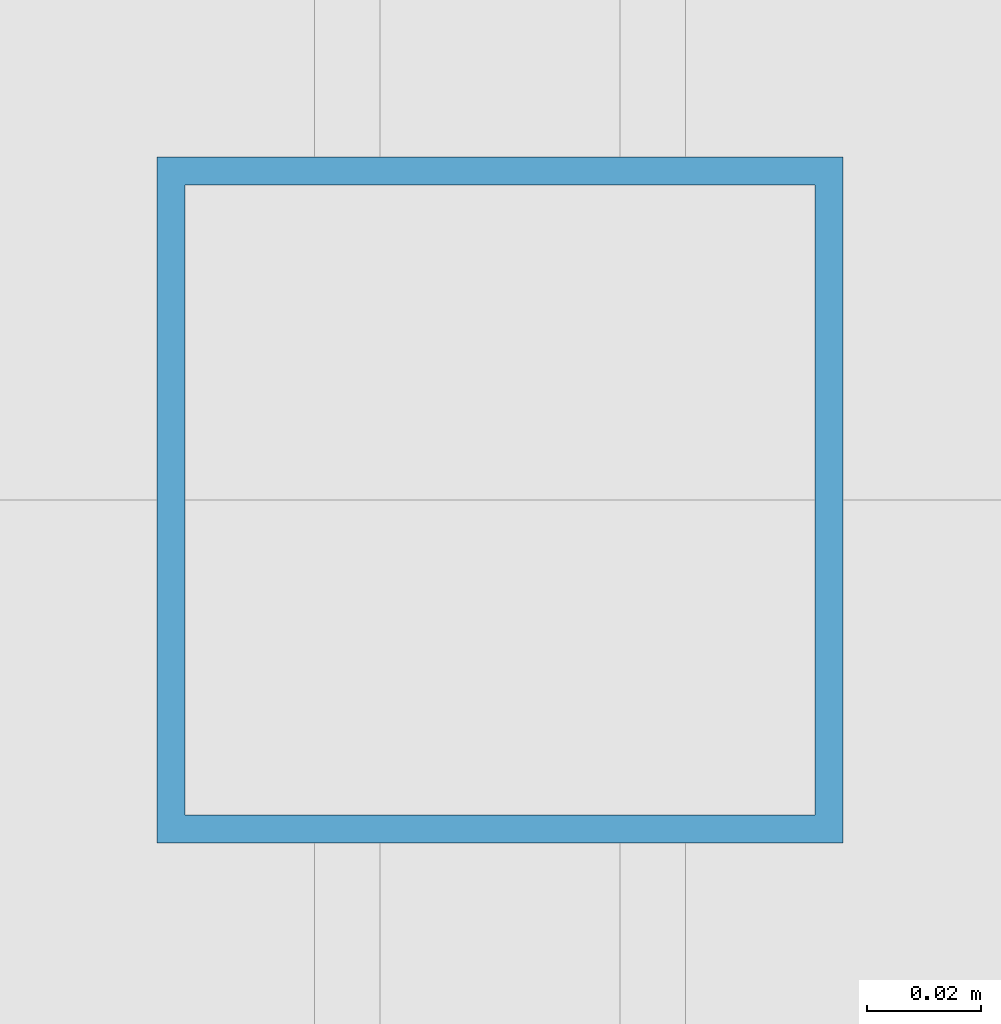
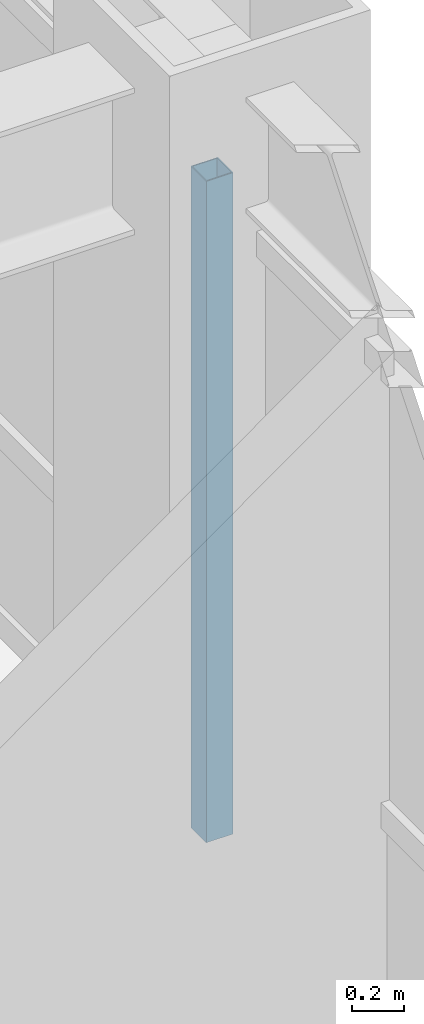
# One storey, part 13 of 32: 1 member, 1 element without a shape of its own.
"""IFC4 building model written with IfcOpenShell, lengths in metres."""

from ifc_helpers import new_model, si_unit, direction, frame, origin, origin_2d, place, context, subcontext, project, spatial, hollow_rectangle, extrude, source, transform, mapped, material, material_profile, profile_set, type_object, element, aggregate, save


model = new_model("IFC4")

# Units and contexts
model_context = context("Model", 3, precision=1e-05, world=origin(), true_north=direction((0.0, 1.0)))
body_context = subcontext(model_context, "Body", "Model", "MODEL_VIEW")
ifc_project = project(units=[si_unit("LENGTHUNIT", "METRE"), si_unit("AREAUNIT", "SQUARE_METRE"), si_unit("VOLUMEUNIT", "CUBIC_METRE"), si_unit("PLANEANGLEUNIT", "RADIAN"), si_unit("MASSUNIT", "GRAM", prefix="KILO")], contexts=[model_context])

# Site, building, storey
site_placement = place(None, origin())
site = spatial("IfcSite", under=ifc_project, at=site_placement, CompositionType="ELEMENT")
building_placement = place(site_placement, origin())
building = spatial("IfcBuilding", under=site, at=building_placement, Name="Khorayat Bourse Tower", CompositionType="ELEMENT")
storey_placement = place(building_placement, frame((0.0, 0.0, 273.5)))
storey = spatial("IfcBuildingStorey", under=building, at=storey_placement, Name="L64", CompositionType="ELEMENT", Elevation=273.5)

# Curtain wall, member
ifc_material = material(Name="Aluminium EN AW-6063 T6", Category="aluminium")
curtain_wall_type = type_object("IfcCurtainWallType", Name="CW-SYS-04", PredefinedType="NOTDEFINED", material=ifc_material)
curtain_wall_placement = place(storey_placement, origin())
curtain_wall = element("IfcCurtainWall", 1, at=curtain_wall_placement, inside=storey, type_object=curtain_wall_type, Name="L64 Curtain Wall CW-L64-E1", PredefinedType="NOTDEFINED")
ifc_material_profile = material_profile(ifc_material, hollow_rectangle(XDim=0.1201171875, YDim=0.1201171875, WallThickness=0.0048828125, at=origin_2d()), Name="ALU 120x120x5")
ifc_profile_set = profile_set([ifc_material_profile], Name="Aluminium EN AW-6063 T6")
member_type = type_object("IfcMemberType", Name="CWM-VERT-120", PredefinedType="MULLION", material=ifc_profile_set)
shared_shape = source(origin(), body_context, "Body", "SweptSolid", [
    extrude(hollow_rectangle(XDim=0.1201171875, YDim=0.1201171875, WallThickness=0.0048828125, at=origin_2d()), origin(), (0.0, 0.0, 1.0), 3.1298828125),
])
member_placement = place(storey_placement, frame((28.0, 0.0, 0.0), z_axis=(0.0, 0.0, 1.0), x_axis=(-1.0, 0.0, 0.0)))
member = element("IfcMember", 2, at=member_placement, type_object=member_type, Name="CW-L64-E1 Vertical Mullion 2", PredefinedType="MULLION", context=body_context, shape_type="MappedRepresentation", body=[
    mapped(shared_shape, transform((0.0, 0.0, 0.0), scale=1.0)),
])
aggregate(curtain_wall, [member])

save(model, "model.ifc")
